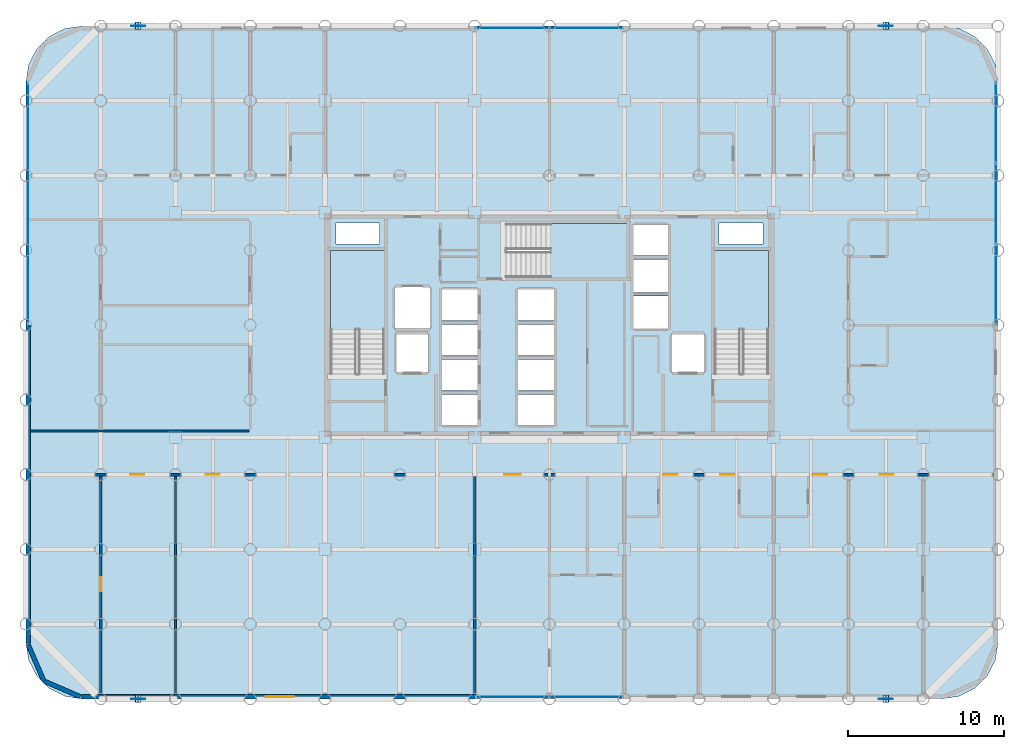
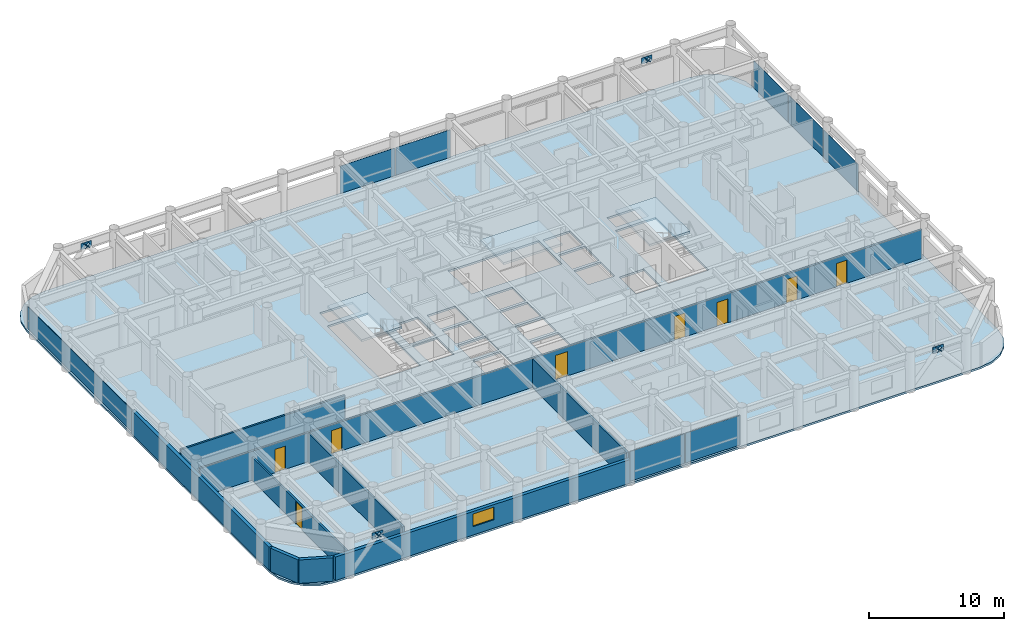
# One storey, part 15 of 21: 20 plates, 9 walls, 8 doors, 4 slabs, 1 window, 9 openings, 7 elements without a shape of their own.
"""IFC4 building model written with IfcOpenShell, lengths in metres."""

from ifc_helpers import new_model, si_unit, direction, frame, frame_2d, origin, origin_2d, place, context, subcontext, project, spatial, polyline, rectangle, outline, extrude, material, layer, layer_set, type_object, element, fill, aggregate, save


model = new_model("IFC4")

# Units and contexts
model_context = context("Model", 3, precision=1e-05, world=origin(), true_north=direction((0.0, 1.0)))
body_context = subcontext(model_context, "Body", "Model", "MODEL_VIEW")
ifc_project = project(units=[si_unit("LENGTHUNIT", "METRE"), si_unit("AREAUNIT", "SQUARE_METRE"), si_unit("VOLUMEUNIT", "CUBIC_METRE"), si_unit("PLANEANGLEUNIT", "RADIAN"), si_unit("MASSUNIT", "GRAM", prefix="KILO")], contexts=[model_context])

# Site, building, storey
site_placement = place(None, origin())
site = spatial("IfcSite", under=ifc_project, at=site_placement, CompositionType="ELEMENT")
building_placement = place(site_placement, origin())
building = spatial("IfcBuilding", under=site, at=building_placement, Name="Kallvorn Hotel Tower", CompositionType="ELEMENT")
storey_placement = place(building_placement, frame((0.0, 0.0, 41.10009765625)))
storey = spatial("IfcBuildingStorey", under=building, at=storey_placement, Name="L08", CompositionType="ELEMENT", Elevation=41.10009765625)

# Curtain wall, plates
ifc_material_1 = material(Name="Thermally broken black-anodised aluminium AA 6063-T6", Category="aluminium")
ifc_layer_1 = layer(ifc_material_1, 0.199951171875)
ifc_layer_set_1 = layer_set([ifc_layer_1], Name="CW_SYS_3_HOTEL_LOW")
curtain_wall_type = type_object("IfcCurtainWallType", Name="CW_SYS_3_HOTEL_LOW", PredefinedType="USERDEFINED", material=ifc_layer_set_1)
curtain_wall_1_placement = place(storey_placement, origin())
curtain_wall_1 = element("IfcCurtainWall", 1, at=curtain_wall_1_placement, inside=storey, type_object=curtain_wall_type, Name="L08 Dark-Glass Curtain Wall CW-L08-SC", ObjectType="UNITISED CURTAIN WALL", PredefinedType="USERDEFINED")
ifc_material_2 = material(Name="Double-glazed low-e solar-control dark glass", Category="glass")
ifc_layer_2 = layer(ifc_material_2, 0.035888671875)
ifc_layer_set_2 = layer_set([ifc_layer_2], Name="CW_SYS_3_HOTEL_LOW_PANEL")
plate_type_1 = type_object("IfcPlateType", Name="CW_SYS_3_HOTEL_LOW_PANEL", PredefinedType="CURTAIN_PANEL", material=ifc_layer_set_2)
plate_1_placement = place(storey_placement, frame((-2.375, -23.8798828125, 0.06005859375), z_axis=(0.0, 0.0, 1.0), x_axis=(1.0, 0.0, 0.0)))
plate_1 = element("IfcPlate", 2, at=plate_1_placement, type_object=plate_type_1, Name="CW-L08-SC Vision Glass Panel 00", PredefinedType="CURTAIN_PANEL", context=body_context, shape_type="SweptSolid", body=[
    extrude(rectangle(XDim=4.68994140625, YDim=0.035888671875, at=origin_2d()), origin(), (0.0, 0.0, 1.0), 2.699951171875),
])
plate_2_placement = place(storey_placement, frame((2.375, -23.8798828125, 0.06005859375), z_axis=(0.0, 0.0, 1.0), x_axis=(1.0, 0.0, 0.0)))
plate_2 = element("IfcPlate", 3, at=plate_2_placement, type_object=plate_type_1, Name="CW-L08-SC Vision Glass Panel 01", PredefinedType="CURTAIN_PANEL", context=body_context, shape_type="SweptSolid", body=[
    extrude(rectangle(XDim=4.68994140625, YDim=0.035888671875, at=origin_2d()), origin(), (0.0, 0.0, 1.0), 2.699951171875),
])
aggregate(curtain_wall_1, [plate_1, plate_2])

curtain_wall_2_placement = place(storey_placement, origin())
curtain_wall_2 = element("IfcCurtainWall", 4, at=curtain_wall_2_placement, inside=storey, type_object=curtain_wall_type, Name="L08 Dark-Glass Curtain Wall CW-L08-NC", ObjectType="UNITISED CURTAIN WALL", PredefinedType="USERDEFINED")
plate_3_placement = place(storey_placement, frame((-2.375, 19.080078125, 0.059814453125), z_axis=(0.0, 0.0, 1.0), x_axis=(1.0, 0.0, 0.0)))
plate_3 = element("IfcPlate", 5, at=plate_3_placement, type_object=plate_type_1, Name="CW-L08-NC Vision Glass Panel 00", PredefinedType="CURTAIN_PANEL", context=body_context, shape_type="SweptSolid", body=[
    extrude(rectangle(XDim=4.68994140625, YDim=0.035888671875, at=origin_2d()), origin(), (0.0, 0.0, 1.0), 2.5),
])
plate_4_placement = place(storey_placement, frame((2.375, 19.080078125, 0.059814453125), z_axis=(0.0, 0.0, 1.0), x_axis=(1.0, 0.0, 0.0)))
plate_4 = element("IfcPlate", 6, at=plate_4_placement, type_object=plate_type_1, Name="CW-L08-NC Vision Glass Panel 01", PredefinedType="CURTAIN_PANEL", context=body_context, shape_type="SweptSolid", body=[
    extrude(rectangle(XDim=4.68994140625, YDim=0.035888671875, at=origin_2d()), origin(), (0.0, 0.0, 1.0), 2.5),
])
aggregate(curtain_wall_2, [plate_3, plate_4])

# Curtain wall, plate
curtain_wall_3_placement = place(storey_placement, origin())
curtain_wall_3 = element("IfcCurtainWall", 7, at=curtain_wall_3_placement, inside=storey, type_object=curtain_wall_type, Name="L08 Dark-Glass Curtain Wall CW-L08-WN", ObjectType="UNITISED CURTAIN WALL", PredefinedType="USERDEFINED")
plate_5_placement = place(storey_placement, frame((-33.47998046875, 7.81005859375, 0.059814453125), z_axis=(0.0, 0.0, 1.0), x_axis=(0.0, 1.0, 0.0)))
plate_5 = element("IfcPlate", 8, at=plate_5_placement, type_object=plate_type_1, Name="CW-L08-WN Vision Glass Panel 00", PredefinedType="CURTAIN_PANEL", context=body_context, shape_type="SweptSolid", body=[
    extrude(rectangle(XDim=15.52001953125, YDim=0.035888671875, at=origin_2d()), origin(), (0.0, 0.0, 1.0), 2.0),
])
aggregate(curtain_wall_3, [plate_5])

# Curtain wall, plates
curtain_wall_4_placement = place(storey_placement, origin())
curtain_wall_4 = element("IfcCurtainWall", 9, at=curtain_wall_4_placement, inside=storey, type_object=curtain_wall_type, Name="L08 Dark-Glass Curtain Wall CW-L08-EN", ObjectType="UNITISED CURTAIN WALL", PredefinedType="USERDEFINED")
plate_6_placement = place(storey_placement, frame((28.679931640625, 2.61669921875, 0.059814453125), z_axis=(0.0, 0.0, 1.0), x_axis=(0.0, 1.0, 0.0)))
plate_6 = element("IfcPlate", 10, at=plate_6_placement, type_object=plate_type_1, Name="CW-L08-EN Vision Glass Panel 00", PredefinedType="CURTAIN_PANEL", context=body_context, shape_type="SweptSolid", body=[
    extrude(rectangle(XDim=5.13330078125, YDim=0.035888671875, at=origin_2d()), origin(), (0.0, 0.0, 1.0), 2.5),
])
plate_7_placement = place(storey_placement, frame((28.679931640625, 7.81005859375, 0.059814453125), z_axis=(0.0, 0.0, 1.0), x_axis=(0.0, 1.0, 0.0)))
plate_7 = element("IfcPlate", 11, at=plate_7_placement, type_object=plate_type_1, Name="CW-L08-EN Vision Glass Panel 01", PredefinedType="CURTAIN_PANEL", context=body_context, shape_type="SweptSolid", body=[
    extrude(rectangle(XDim=5.13330078125, YDim=0.035888671875, at=origin_2d()), origin(), (0.0, 0.0, 1.0), 2.5),
])
plate_8_placement = place(storey_placement, frame((28.679931640625, 13.00341796875, 0.059814453125), z_axis=(0.0, 0.0, 1.0), x_axis=(0.0, 1.0, 0.0)))
plate_8 = element("IfcPlate", 12, at=plate_8_placement, type_object=plate_type_1, Name="CW-L08-EN Vision Glass Panel 02", PredefinedType="CURTAIN_PANEL", context=body_context, shape_type="SweptSolid", body=[
    extrude(rectangle(XDim=5.13330078125, YDim=0.035888671875, at=origin_2d()), origin(), (0.0, 0.0, 1.0), 2.5),
])
aggregate(curtain_wall_4, [plate_6, plate_7, plate_8])

# Plates
ifc_material_3 = material(Name="Structural steel S355JR", Category="steel")
ifc_layer_3 = layer(ifc_material_3, 0.030029296875)
ifc_layer_set_3 = layer_set([ifc_layer_3], Name="PLT_CAP_30")
plate_type_2 = type_object("IfcPlateType", Name="PLT_CAP_30", PredefinedType="SHEET", material=ifc_layer_set_3)
for number, where, z_axis, x_axis, name in (
    (13, (-26.20947265625, -24.2431640625, 2.80859375), (0.653515319717, 0.0, 0.756913288888), (0.0, 1.0, 0.0), "EXO-L08-S1A End Cap Plate B"),
    (14, (-26.590576171875, -23.7568359375, 2.80859375), (-0.653515319717, 0.0, 0.756913288888), (0.0, -1.0, 0.0), "EXO-L08-S1B End Cap Plate B"),
    (15, (21.79052734375, -24.2431640625, 2.80859375), (0.653515319717, 0.0, 0.756913288888), (0.0, 1.0, 0.0), "EXO-L08-S2A End Cap Plate B"),
    (16, (21.409423828125, -23.7568359375, 2.80859375), (-0.653515319717, 0.0, 0.756913288888), (0.0, -1.0, 0.0), "EXO-L08-S2B End Cap Plate B"),
    (17, (-26.20947265625, 18.956787109375, 2.80859375), (0.653515319717, 0.0, 0.756913288888), (0.0, 1.0, 0.0), "EXO-L08-N1A End Cap Plate B"),
    (18, (-26.590576171875, 19.443115234375, 2.80859375), (-0.653515319717, 0.0, 0.756913288888), (0.0, -1.0, 0.0), "EXO-L08-N1B End Cap Plate B"),
    (19, (21.79052734375, 18.956787109375, 2.80859375), (0.653515319717, 0.0, 0.756913288888), (0.0, 1.0, 0.0), "EXO-L08-N2A End Cap Plate B"),
    (20, (21.409423828125, 19.443115234375, 2.80859375), (-0.653515319717, 0.0, 0.756913288888), (0.0, -1.0, 0.0), "EXO-L08-N2B End Cap Plate B"),
):
    element("IfcPlate", number, at=place(storey_placement, frame(where, z_axis=z_axis, x_axis=x_axis)), inside=storey, type_object=plate_type_2, Name=name, PredefinedType="SHEET", context=body_context, shape_type="SweptSolid", body=[
        extrude(outline(polyline([(0.0, 0.0), (0.486328125, 0.0), (0.486328125, 0.4864019008580509), (0.0, 0.4864019008580509), (0.0, 0.0)])), origin(), (0.0, 0.0, -1.0), 0.030029296875),
    ])
ifc_material_4 = material(Name="Structural steel S355JR", Category="steel")
ifc_layer_4 = layer(ifc_material_4, 0.044921875)
ifc_layer_set_4 = layer_set([ifc_layer_4], Name="PLT_GUSSET_45")
plate_type_3 = type_object("IfcPlateType", Name="PLT_GUSSET_45", PredefinedType="USERDEFINED", material=ifc_layer_set_4)
for number, where, z_axis, x_axis, name in (
    (21, (-26.39990234375, -24.0, 2.639892578125), (0.0, 0.0, 1.0), (1.0, 0.0, 0.0), "L08 Exoskeleton Node Gusset S1"),
    (22, (21.60009765625, -24.0, 2.639892578125), (0.0, 0.0, 1.0), (1.0, 0.0, 0.0), "L08 Exoskeleton Node Gusset S2"),
    (23, (-26.39990234375, 19.199951171875, 2.639892578125), (0.0, 0.0, 1.0), (1.0, 0.0, 0.0), "L08 Exoskeleton Node Gusset N1"),
    (24, (21.60009765625, 19.199951171875, 2.639892578125), (0.0, 0.0, 1.0), (1.0, 0.0, 0.0), "L08 Exoskeleton Node Gusset N2"),
):
    element("IfcPlate", number, at=place(storey_placement, frame(where, z_axis=z_axis, x_axis=x_axis)), inside=storey, type_object=plate_type_3, Name=name, ObjectType="GUSSET PLATE", PredefinedType="USERDEFINED", context=body_context, shape_type="SweptSolid", body=[
        extrude(rectangle(XDim=0.89990234375, YDim=0.044921875, at=origin_2d()), origin(), (0.0, 0.0, 1.0), 0.56005859375),
    ])

# Stair, slab
ifc_material_5 = material(Name="Precast concrete C40/50", Category="concrete")
stair_type = type_object("IfcStairType", Name="STR_CORE_DOGLEG", PredefinedType="HALF_TURN_STAIR", material=ifc_material_5)
stair_1_placement = place(storey_placement, origin())
stair_1 = element("IfcStair", 25, at=stair_1_placement, inside=storey, type_object=stair_type, Name="L08 Exit stair ST1", PredefinedType="HALF_TURN_STAIR")
ifc_material_6 = material(Name="Precast concrete C40/50", Category="concrete")
ifc_layer_5 = layer(ifc_material_6, 0.179931640625)
ifc_layer_set_5 = layer_set([ifc_layer_5], Name="SLB_LANDING_180")
slab_type_1 = type_object("IfcSlabType", Name="SLB_LANDING_180", PredefinedType="LANDING", material=ifc_layer_set_5)
slab_1_placement = place(storey_placement, frame((0.0, 0.0, 1.64990234375)))
slab_1 = element("IfcSlab", 26, at=slab_1_placement, type_object=slab_type_1, Name="ST1 landing 1", PredefinedType="LANDING", context=body_context, shape_type="SweptSolid", body=[
    extrude(outline(polyline([(-10.60009765625, -0.31005859375), (-10.60009765625, 4.800048828125), (-14.06005859375, 4.800048828125), (-14.06005859375, -0.31005859375), (-10.60009765625, -0.31005859375)])), origin(), (0.0, 0.0, 1.0), 0.199951171875),
])
aggregate(stair_1, [slab_1])

stair_2_placement = place(storey_placement, origin())
stair_2 = element("IfcStair", 27, at=stair_2_placement, inside=storey, type_object=stair_type, Name="L08 Exit stair ST2", PredefinedType="HALF_TURN_STAIR")
slab_2_placement = place(storey_placement, frame((0.0, 0.0, 1.64990234375)))
slab_2 = element("IfcSlab", 28, at=slab_2_placement, type_object=slab_type_1, Name="ST2 landing 1", PredefinedType="LANDING", context=body_context, shape_type="SweptSolid", body=[
    extrude(outline(polyline([(14.06005859375, -0.31005859375), (14.06005859375, 4.800048828125), (10.60009765625, 4.800048828125), (10.60009765625, -0.31005859375), (14.06005859375, -0.31005859375)])), origin(), (0.0, 0.0, 1.0), 0.199951171875),
])
aggregate(stair_2, [slab_2])

stair_3_placement = place(storey_placement, origin())
stair_3 = element("IfcStair", 29, at=stair_3_placement, inside=storey, type_object=stair_type, Name="L08 Exit stair ST3", PredefinedType="HALF_TURN_STAIR")
slab_3_placement = place(storey_placement, frame((0.0, 0.0, 1.64990234375)))
slab_3 = element("IfcSlab", 30, at=slab_3_placement, type_object=slab_type_1, Name="ST3 landing 1", PredefinedType="LANDING", context=body_context, shape_type="SweptSolid", body=[
    extrude(outline(polyline([(0.0400390625, 3.050048828125), (5.050048828125, 3.050048828125), (5.050048828125, 6.510009765625), (0.0400390625, 6.510009765625), (0.0400390625, 3.050048828125)])), origin(), (0.0, 0.0, 1.0), 0.199951171875),
])
aggregate(stair_3, [slab_3])

# Slab
ifc_material_7 = material(Name="Concrete C40/50", Category="concrete")
ifc_layer_6 = layer(ifc_material_7, 0.179931640625)
ifc_layer_set_6 = layer_set([ifc_layer_6], Name="SLB_TOWER_180")
slab_type_2 = type_object("IfcSlabType", Name="SLB_TOWER_180", PredefinedType="FLOOR", material=ifc_layer_set_6)
slab_4_placement = place(storey_placement, frame((0.0, 0.0, -0.18017578125)))
element("IfcSlab", 31, at=slab_4_placement, inside=storey, type_object=slab_type_2, Name="L08 Structural Floor Slab", PredefinedType="FLOOR", context=body_context, shape_type="SweptSolid", body=[
    extrude(outline(polyline([(25.199951171875, -24.0), (26.3125, -23.82373046875), (27.31591796875, -23.3125), (28.112548828125, -22.51611328125), (28.623779296875, -21.512451171875), (28.800048828125, -20.39990234375), (28.800048828125, 15.60009765625), (28.623779296875, 16.71240234375), (28.112548828125, 17.716064453125), (27.31591796875, 18.512451171875), (26.3125, 19.023681640625), (25.199951171875, 19.199951171875), (-30.0, 19.199951171875), (-31.112548828125, 19.023681640625), (-32.115966796875, 18.512451171875), (-32.91259765625, 17.716064453125), (-33.423828125, 16.71240234375), (-33.60009765625, 15.60009765625), (-33.60009765625, -20.39990234375), (-33.423828125, -21.512451171875), (-32.91259765625, -22.51611328125), (-32.115966796875, -23.3125), (-31.112548828125, -23.82373046875), (-30.0, -24.0), (25.199951171875, -24.0)]), holes=[polyline([(-10.60009765625, -3.070068359375), (-10.60009765625, 4.800048828125), (-14.06005859375, 4.800048828125), (-14.06005859375, -3.070068359375), (-10.60009765625, -3.070068359375)]), polyline([(14.06005859375, -3.070068359375), (14.06005859375, 4.800048828125), (10.60009765625, 4.800048828125), (10.60009765625, -3.070068359375), (14.06005859375, -3.070068359375)]), polyline([(-2.719970703125, 3.050048828125), (5.050048828125, 3.050048828125), (5.050048828125, 6.510009765625), (-2.719970703125, 6.510009765625), (-2.719970703125, 3.050048828125)]), polyline([(-6.949951171875, -6.449951171875), (-4.550048828125, -6.449951171875), (-4.550048828125, -4.449951171875), (-6.949951171875, -4.449951171875), (-6.949951171875, -6.449951171875)]), polyline([(-6.949951171875, -4.199951171875), (-4.550048828125, -4.199951171875), (-4.550048828125, -2.199951171875), (-6.949951171875, -2.199951171875), (-6.949951171875, -4.199951171875)]), polyline([(-6.949951171875, -1.949951171875), (-4.550048828125, -1.949951171875), (-4.550048828125, 0.050048828125), (-6.949951171875, 0.050048828125), (-6.949951171875, -1.949951171875)]), polyline([(-6.949951171875, 0.300048828125), (-4.550048828125, 0.300048828125), (-4.550048828125, 2.300048828125), (-6.949951171875, 2.300048828125), (-6.949951171875, 0.300048828125)]), polyline([(-2.050048828125, -6.449951171875), (0.35009765625, -6.449951171875), (0.35009765625, -4.449951171875), (-2.050048828125, -4.449951171875), (-2.050048828125, -6.449951171875)]), polyline([(-2.050048828125, -4.199951171875), (0.35009765625, -4.199951171875), (0.35009765625, -2.199951171875), (-2.050048828125, -2.199951171875), (-2.050048828125, -4.199951171875)]), polyline([(-2.050048828125, -1.949951171875), (0.35009765625, -1.949951171875), (0.35009765625, 0.050048828125), (-2.050048828125, 0.050048828125), (-2.050048828125, -1.949951171875)]), polyline([(-2.050048828125, 0.300048828125), (0.35009765625, 0.300048828125), (0.35009765625, 2.300048828125), (-2.050048828125, 2.300048828125), (-2.050048828125, 0.300048828125)]), polyline([(5.35009765625, -0.25), (7.64990234375, -0.25), (7.64990234375, 1.85009765625), (5.35009765625, 1.85009765625), (5.35009765625, -0.25)]), polyline([(5.35009765625, 2.10009765625), (7.64990234375, 2.10009765625), (7.64990234375, 4.199951171875), (5.35009765625, 4.199951171875), (5.35009765625, 2.10009765625)]), polyline([(5.35009765625, 4.449951171875), (7.64990234375, 4.449951171875), (7.64990234375, 6.449951171875), (5.35009765625, 6.449951171875), (5.35009765625, 4.449951171875)]), polyline([(-9.85009765625, -3.050048828125), (-7.75, -3.050048828125), (-7.75, -0.550048828125), (-9.85009765625, -0.550048828125), (-9.85009765625, -3.050048828125)]), polyline([(7.85009765625, -3.050048828125), (9.949951171875, -3.050048828125), (9.949951171875, -0.550048828125), (7.85009765625, -0.550048828125), (7.85009765625, -3.050048828125)]), polyline([(-9.949951171875, -0.25), (-7.64990234375, -0.25), (-7.64990234375, 2.449951171875), (-9.949951171875, 2.449951171875), (-9.949951171875, -0.25)]), polyline([(-13.699951171875, 5.199951171875), (-10.89990234375, 5.199951171875), (-10.89990234375, 6.550048828125), (-13.699951171875, 6.550048828125), (-13.699951171875, 5.199951171875)]), polyline([(10.89990234375, 5.199951171875), (13.699951171875, 5.199951171875), (13.699951171875, 6.550048828125), (10.89990234375, 6.550048828125), (10.89990234375, 5.199951171875)])]), origin(), (0.0, 0.0, 1.0), 0.18017578125),
])

# Wall, openings, doors
ifc_material_8 = material(Name="Fire-rated double-layer acoustic gypsum drywall EI 60")
ifc_layer_7 = layer(ifc_material_8, 0.159912109375)
ifc_layer_set_7 = layer_set([ifc_layer_7], Name="WL_DEMISE_160")
wall_type_1 = type_object("IfcWallType", Name="WL_DEMISE_160", PredefinedType="PARTITIONING", material=ifc_layer_set_7)
wall_1_placement = place(storey_placement, frame((-33.31005859375, -9.60009765625, 0.0), z_axis=(0.0, 0.0, 1.0), x_axis=(1.0, 0.0, 0.0)))
wall_1 = element("IfcWall", 32, at=wall_1_placement, inside=storey, type_object=wall_type_1, Name="L08 Suite 803 Executive Living Salon Partition", PredefinedType="PARTITIONING", context=body_context, shape_type="SweptSolid", body=[
    extrude(rectangle(XDim=61.820068359375, YDim=0.159912109375, at=frame_2d((30.91015625, 0.0))), origin(), (0.0, 0.0, 1.0), 2.619873046875),
])
opening_1_placement = place(wall_1_placement, frame((6.419921875, 0.0, 0.0)))
opening_1 = element("IfcOpeningElement", 33, at=opening_1_placement, cuts=wall_1, Name="Opening SVD1", PredefinedType="OPENING", context=body_context, shape_type="SweptSolid", body=[
    extrude(rectangle(XDim=0.89990234375, YDim=2.10009765625, at=frame_2d((0.449951171875, 1.050048828125))), frame((0.0, 0.094970703125, 0.0), z_axis=(0.0, -1.0, 0.0), x_axis=(1.0, 0.0, 0.0)), (0.0, 0.0, 1.0), 0.18994140625),
])
opening_2_placement = place(wall_1_placement, frame((54.5, 0.0, 0.0)))
opening_2 = element("IfcOpeningElement", 34, at=opening_2_placement, cuts=wall_1, Name="Opening SVD1", PredefinedType="OPENING", context=body_context, shape_type="SweptSolid", body=[
    extrude(rectangle(XDim=0.89990234375, YDim=2.10009765625, at=frame_2d((0.449951171875, 1.050048828125))), frame((0.0, 0.094970703125, 0.0), z_axis=(0.0, -1.0, 0.0), x_axis=(1.0, 0.0, 0.0)), (0.0, 0.0, 1.0), 0.18994140625),
])
opening_3_placement = place(wall_1_placement, frame((11.260009765625, 0.0, 0.0)))
opening_3 = element("IfcOpeningElement", 35, at=opening_3_placement, cuts=wall_1, Name="Opening SVD1", PredefinedType="OPENING", context=body_context, shape_type="SweptSolid", body=[
    extrude(rectangle(XDim=0.89990234375, YDim=2.10009765625, at=frame_2d((0.449951171875, 1.050048828125))), frame((0.0, 0.094970703125, 0.0), z_axis=(0.0, -1.0, 0.0), x_axis=(1.0, 0.0, 0.0)), (0.0, 0.0, 1.0), 0.18994140625),
])
opening_4_placement = place(wall_1_placement, frame((30.425048828125, 0.0, 0.0)))
opening_4 = element("IfcOpeningElement", 36, at=opening_4_placement, cuts=wall_1, Name="Opening GD2", PredefinedType="OPENING", context=body_context, shape_type="SweptSolid", body=[
    extrude(rectangle(XDim=1.050048828125, YDim=2.199951171875, at=frame_2d((0.52490234375, 1.10009765625))), frame((0.0, 0.094970703125, 0.0), z_axis=(0.0, -1.0, 0.0), x_axis=(1.0, 0.0, 0.0)), (0.0, 0.0, 1.0), 0.18994140625),
])
opening_5_placement = place(wall_1_placement, frame((40.6201171875, 0.0, 0.0)))
opening_5 = element("IfcOpeningElement", 37, at=opening_5_placement, cuts=wall_1, Name="Opening GD1", PredefinedType="OPENING", context=body_context, shape_type="SweptSolid", body=[
    extrude(rectangle(XDim=0.919921875, YDim=2.14990234375, at=frame_2d((0.4599609375, 1.074951171875))), frame((0.0, 0.094970703125, 0.0), z_axis=(0.0, -1.0, 0.0), x_axis=(1.0, 0.0, 0.0)), (0.0, 0.0, 1.0), 0.18994140625),
])
opening_6_placement = place(wall_1_placement, frame((44.280029296875, 0.0, 0.0)))
opening_6 = element("IfcOpeningElement", 38, at=opening_6_placement, cuts=wall_1, Name="Opening GD1", PredefinedType="OPENING", context=body_context, shape_type="SweptSolid", body=[
    extrude(rectangle(XDim=0.919921875, YDim=2.14990234375, at=frame_2d((0.4599609375, 1.074951171875))), frame((0.0, 0.094970703125, 0.0), z_axis=(0.0, -1.0, 0.0), x_axis=(1.0, 0.0, 0.0)), (0.0, 0.0, 1.0), 0.18994140625),
])
opening_7_placement = place(wall_1_placement, frame((50.219970703125, 0.0, 0.0)))
opening_7 = element("IfcOpeningElement", 39, at=opening_7_placement, cuts=wall_1, Name="Opening GD1", PredefinedType="OPENING", context=body_context, shape_type="SweptSolid", body=[
    extrude(rectangle(XDim=0.919921875, YDim=2.14990234375, at=frame_2d((0.4599609375, 1.074951171875))), frame((0.0, 0.094970703125, 0.0), z_axis=(0.0, -1.0, 0.0), x_axis=(1.0, 0.0, 0.0)), (0.0, 0.0, 1.0), 0.18994140625),
])
ifc_material_9 = material(Name="Solid-core walnut veneer fire-rated timber door leaf", Category="wood")
door_type_1 = type_object("IfcDoorType", Name="DR_GUEST_920x2150", OperationType="NOTDEFINED", PredefinedType="DOOR", material=ifc_material_9)
door_1_placement = place(opening_5_placement, origin())
door_1 = element("IfcDoor", 40, at=door_1_placement, inside=storey, type_object=door_type_1, Name="L08 Suite 804 Superior Twin Room Door", OperationType="SINGLE_SWING_RIGHT", OverallHeight=2.14990234375, OverallWidth=0.919921875, PredefinedType="DOOR", context=body_context, shape_type="SweptSolid", body=[
    extrude(rectangle(XDim=0.919921875, YDim=2.14990234375, at=frame_2d((0.4599609375, 1.074951171875))), frame((0.0, 0.02490234375, 0.0), z_axis=(0.0, -1.0, 0.0), x_axis=(1.0, 0.0, 0.0)), (0.0, 0.0, 1.0), 0.050048828125),
])
fill(opening_5, door_1)
door_2_placement = place(opening_6_placement, origin())
door_2 = element("IfcDoor", 41, at=door_2_placement, inside=storey, type_object=door_type_1, Name="L08 Suite 805 Superior Twin Room Door", OperationType="SINGLE_SWING_LEFT", OverallHeight=2.14990234375, OverallWidth=0.919921875, PredefinedType="DOOR", context=body_context, shape_type="SweptSolid", body=[
    extrude(rectangle(XDim=0.919921875, YDim=2.14990234375, at=frame_2d((0.4599609375, 1.074951171875))), frame((0.0, 0.02490234375, 0.0), z_axis=(0.0, -1.0, 0.0), x_axis=(1.0, 0.0, 0.0)), (0.0, 0.0, 1.0), 0.050048828125),
])
fill(opening_6, door_2)
door_3_placement = place(opening_7_placement, origin())
door_3 = element("IfcDoor", 42, at=door_3_placement, inside=storey, type_object=door_type_1, Name="L08 Suite 806 Superior Twin Room Door", OperationType="SINGLE_SWING_RIGHT", OverallHeight=2.14990234375, OverallWidth=0.919921875, PredefinedType="DOOR", context=body_context, shape_type="SweptSolid", body=[
    extrude(rectangle(XDim=0.919921875, YDim=2.14990234375, at=frame_2d((0.4599609375, 1.074951171875))), frame((0.0, 0.02490234375, 0.0), z_axis=(0.0, -1.0, 0.0), x_axis=(1.0, 0.0, 0.0)), (0.0, 0.0, 1.0), 0.050048828125),
])
fill(opening_7, door_3)
ifc_material_10 = material(Name="Galvanised painted steel fire-rated door assembly", Category="steel")
door_type_2 = type_object("IfcDoorType", Name="DR_SERV_900x2100", OperationType="NOTDEFINED", PredefinedType="DOOR", material=ifc_material_10)
door_4_placement = place(opening_1_placement, origin())
door_4 = element("IfcDoor", 43, at=door_4_placement, inside=storey, type_object=door_type_2, Name="L08 L08 South-West Botanical Bar B Door", OperationType="SINGLE_SWING_RIGHT", OverallHeight=2.10009765625, OverallWidth=0.89990234375, PredefinedType="DOOR", context=body_context, shape_type="SweptSolid", body=[
    extrude(rectangle(XDim=0.89990234375, YDim=2.10009765625, at=frame_2d((0.449951171875, 1.050048828125))), frame((0.0, 0.02490234375, 0.0), z_axis=(0.0, -1.0, 0.0), x_axis=(1.0, 0.0, 0.0)), (0.0, 0.0, 1.0), 0.050048828125),
])
fill(opening_1, door_4)
door_5_placement = place(opening_2_placement, origin())
door_5 = element("IfcDoor", 44, at=door_5_placement, inside=storey, type_object=door_type_2, Name="L08 L08 South-East Sommelier Bar A Door", OperationType="SINGLE_SWING_LEFT", OverallHeight=2.10009765625, OverallWidth=0.89990234375, PredefinedType="DOOR", context=body_context, shape_type="SweptSolid", body=[
    extrude(rectangle(XDim=0.89990234375, YDim=2.10009765625, at=frame_2d((0.449951171875, 1.050048828125))), frame((0.0, 0.02490234375, 0.0), z_axis=(0.0, -1.0, 0.0), x_axis=(1.0, 0.0, 0.0)), (0.0, 0.0, 1.0), 0.050048828125),
])
fill(opening_2, door_5)
door_6_placement = place(opening_3_placement, origin())
door_6 = element("IfcDoor", 45, at=door_6_placement, inside=storey, type_object=door_type_2, Name="L08 L08 Executive Co-Working Open-Plan Office 1 Door", OperationType="SINGLE_SWING_LEFT", OverallHeight=2.10009765625, OverallWidth=0.89990234375, PredefinedType="DOOR", context=body_context, shape_type="SweptSolid", body=[
    extrude(rectangle(XDim=0.89990234375, YDim=2.10009765625, at=frame_2d((0.449951171875, 1.050048828125))), frame((0.0, 0.02490234375, 0.0), z_axis=(0.0, -1.0, 0.0), x_axis=(1.0, 0.0, 0.0)), (0.0, 0.0, 1.0), 0.050048828125),
])
fill(opening_3, door_6)
ifc_material_11 = material(Name="Solid-core walnut veneer fire-rated timber door leaf", Category="wood")
door_type_3 = type_object("IfcDoorType", Name="DR_SUITE_1050x2200", OperationType="NOTDEFINED", PredefinedType="DOOR", material=ifc_material_11)
door_7_placement = place(opening_4_placement, origin())
door_7 = element("IfcDoor", 46, at=door_7_placement, inside=storey, type_object=door_type_3, Name="L08 Suite 803 Executive Living Salon Door", OperationType="SINGLE_SWING_LEFT", OverallHeight=2.199951171875, OverallWidth=1.050048828125, PredefinedType="DOOR", context=body_context, shape_type="SweptSolid", body=[
    extrude(rectangle(XDim=1.050048828125, YDim=2.199951171875, at=frame_2d((0.52490234375, 1.10009765625))), frame((0.0, 0.02490234375, 0.0), z_axis=(0.0, -1.0, 0.0), x_axis=(1.0, 0.0, 0.0)), (0.0, 0.0, 1.0), 0.050048828125),
])
fill(opening_4, door_7)

# Walls
wall_2_placement = place(storey_placement, frame((-4.800048828125, -23.7099609375, 0.0), z_axis=(0.0, 0.0, 1.0), x_axis=(0.0, 1.0, 0.0)))
element("IfcWall", 47, at=wall_2_placement, inside=storey, type_object=wall_type_1, Name="L08 Suite 803 Executive Living Salon Partition", PredefinedType="PARTITIONING", context=body_context, shape_type="SweptSolid", body=[
    extrude(rectangle(XDim=13.989990234375, YDim=0.159912109375, at=frame_2d((6.9951171875, 0.0))), origin(), (0.0, 0.0, 1.0), 2.619873046875),
])
ifc_material_12 = material(Name="Precast basalt-clad insulated concrete wall C40/50", Category="masonry")
ifc_layer_8 = layer(ifc_material_12, 0.280029296875)
ifc_layer_set_8 = layer_set([ifc_layer_8], Name="WL_EXT_LOGGIA_280")
wall_type_2 = type_object("IfcWallType", Name="WL_EXT_LOGGIA_280", PredefinedType="SOLIDWALL", material=ifc_layer_set_8)
wall_3_placement = place(storey_placement, frame((-33.4580078125, -20.520751953125, 0.0), z_axis=(0.0, 0.0, 1.0), x_axis=(0.398792985289, -0.917040977756, 0.0)))
element("IfcWall", 48, at=wall_3_placement, inside=storey, type_object=wall_type_2, Name="L08 Rounded Corner Exterior Wall SW1", PredefinedType="SOLIDWALL", context=body_context, shape_type="SweptSolid", body=[
    extrude(rectangle(XDim=2.536376953125, YDim=0.280029296875, at=frame_2d((1.26806640625, 0.0))), origin(), (0.0, 0.0, 1.0), 2.119873046875),
])
wall_4_placement = place(storey_placement, frame((-32.446533203125, -22.8466796875, 0.0), z_axis=(0.0, 0.0, 1.0), x_axis=(0.917060872934, -0.398747232384, 0.0)))
element("IfcWall", 49, at=wall_4_placement, inside=storey, type_object=wall_type_2, Name="L08 Rounded Corner Exterior Wall SW2", PredefinedType="SOLIDWALL", context=body_context, shape_type="SweptSolid", body=[
    extrude(rectangle(XDim=2.5361328125, YDim=0.280029296875, at=frame_2d((1.26806640625, 0.0))), origin(), (0.0, 0.0, 1.0), 2.119873046875),
])

# Wall, opening, window
wall_5_placement = place(storey_placement, frame((-30.0, -23.860107421875, 0.0), z_axis=(0.0, 0.0, 1.0), x_axis=(1.0, 0.0, 0.0)))
wall_5 = element("IfcWall", 50, at=wall_5_placement, inside=storey, type_object=wall_type_2, Name="L08 Exterior Envelope Wall EW-L08-SW", PredefinedType="SOLIDWALL", context=body_context, shape_type="SweptSolid", body=[
    extrude(rectangle(XDim=25.25, YDim=0.280029296875, at=frame_2d((12.625, 0.0))), origin(), (0.0, 0.0, 1.0), 2.119873046875),
])
opening_8_placement = place(wall_5_placement, frame((11.798095703125, 0.0, 0.75)))
opening_8 = element("IfcOpeningElement", 51, at=opening_8_placement, cuts=wall_5, Name="Opening W04A", PredefinedType="OPENING", context=body_context, shape_type="SweptSolid", body=[
    extrude(rectangle(XDim=1.800048828125, YDim=1.14990234375, at=frame_2d((0.89990234375, 0.574951171875))), frame((0.0, 0.155029296875, 0.0), z_axis=(0.0, -1.0, 0.0), x_axis=(1.0, 0.0, 0.0)), (0.0, 0.0, 1.0), 0.31005859375),
])
ifc_material_13 = material(Name="Double-glazed low-e solar-control dark glass", Category="glass")
window_type = type_object("IfcWindowType", Name="WN_HTL_1800x1150", PartitioningType="SINGLE_PANEL", PredefinedType="WINDOW", material=ifc_material_13)
window_placement = place(opening_8_placement, origin())
window = element("IfcWindow", 52, at=window_placement, inside=storey, type_object=window_type, Name="L08 Guestroom Exterior Window 02", OverallHeight=1.14990234375, OverallWidth=1.800048828125, PartitioningType="SINGLE_PANEL", PredefinedType="WINDOW", context=body_context, shape_type="SweptSolid", body=[
    extrude(rectangle(XDim=1.800048828125, YDim=1.14990234375, at=frame_2d((0.89990234375, 0.574951171875))), frame((0.0, 0.030029296875, 0.0), z_axis=(0.0, -1.0, 0.0), x_axis=(1.0, 0.0, 0.0)), (0.0, 0.0, 1.0), 0.06005859375),
])
fill(opening_8, window)

# Walls
wall_6_placement = place(storey_placement, frame((-33.4599609375, -20.39990234375, 0.0), z_axis=(0.0, 0.0, 1.0), x_axis=(0.0, 1.0, 0.0)))
element("IfcWall", 53, at=wall_6_placement, inside=storey, type_object=wall_type_2, Name="L08 Exterior Envelope Wall EW-L08-WS", PredefinedType="SOLIDWALL", context=body_context, shape_type="SweptSolid", body=[
    extrude(rectangle(XDim=20.3798828125, YDim=0.280029296875, at=frame_2d((10.18994140625, 0.0))), origin(), (0.0, 0.0, 1.0), 2.119873046875),
])
ifc_material_14 = material(Name="Fire-rated double-layer acoustic gypsum drywall EI 60")
ifc_layer_9 = layer(ifc_material_14, 0.14990234375)
ifc_layer_set_9 = layer_set([ifc_layer_9], Name="WL_PART_150")
wall_type_3 = type_object("IfcWallType", Name="WL_PART_150", PredefinedType="PARTITIONING", material=ifc_layer_set_9)
wall_7_placement = place(storey_placement, frame((-33.31005859375, -6.800048828125, 0.0), z_axis=(0.0, 0.0, 1.0), x_axis=(1.0, 0.0, 0.0)))
element("IfcWall", 54, at=wall_7_placement, inside=storey, type_object=wall_type_3, Name="L08 L08 W Cordillera Panorama Dining Salon Partition", PredefinedType="PARTITIONING", context=body_context, shape_type="SweptSolid", body=[
    extrude(rectangle(XDim=14.030029296875, YDim=0.14990234375, at=frame_2d((7.01513671875, 0.0))), origin(), (0.0, 0.0, 1.0), 2.619873046875),
])

# Wall, opening, door
wall_8_placement = place(storey_placement, frame((-28.800048828125, -23.7099609375, 0.0), z_axis=(0.0, 0.0, 1.0), x_axis=(0.0, 1.0, 0.0)))
wall_8 = element("IfcWall", 55, at=wall_8_placement, inside=storey, type_object=wall_type_3, Name="L08 L08 South-West Botanical Bar A Partition", PredefinedType="PARTITIONING", context=body_context, shape_type="SweptSolid", body=[
    extrude(rectangle(XDim=13.989990234375, YDim=0.14990234375, at=frame_2d((6.9951171875, 0.0))), origin(), (0.0, 0.0, 1.0), 2.119873046875),
])
opening_9_placement = place(wall_8_placement, frame((6.625, 0.0, 0.0)))
opening_9 = element("IfcOpeningElement", 56, at=opening_9_placement, cuts=wall_8, Name="Opening SVD1A", PredefinedType="OPENING", context=body_context, shape_type="SweptSolid", body=[
    extrude(rectangle(XDim=0.89990234375, YDim=2.02001953125, at=frame_2d((0.449951171875, 1.010009765625))), frame((0.0, 0.08984375, 0.0), z_axis=(0.0, -1.0, 0.0), x_axis=(1.0, 0.0, 0.0)), (0.0, 0.0, 1.0), 0.179931640625),
])
ifc_material_15 = material(Name="Galvanised painted steel fire-rated door assembly", Category="steel")
door_type_4 = type_object("IfcDoorType", Name="DR_SERV_900x2020", OperationType="NOTDEFINED", PredefinedType="DOOR", material=ifc_material_15)
door_8_placement = place(opening_9_placement, origin())
door_8 = element("IfcDoor", 57, at=door_8_placement, inside=storey, type_object=door_type_4, Name="L08 L08 South-West Botanical Bar A Door", OperationType="SINGLE_SWING_RIGHT", OverallHeight=2.02001953125, OverallWidth=0.89990234375, PredefinedType="DOOR", context=body_context, shape_type="SweptSolid", body=[
    extrude(rectangle(XDim=0.89990234375, YDim=2.02001953125, at=frame_2d((0.449951171875, 1.010009765625))), frame((0.0, 0.02490234375, 0.0), z_axis=(0.0, -1.0, 0.0), x_axis=(1.0, 0.0, 0.0)), (0.0, 0.0, 1.0), 0.050048828125),
])
fill(opening_9, door_8)

# Wall
wall_9_placement = place(storey_placement, frame((-24.0, -23.7099609375, 0.0), z_axis=(0.0, 0.0, 1.0), x_axis=(0.0, 1.0, 0.0)))
element("IfcWall", 58, at=wall_9_placement, inside=storey, type_object=wall_type_3, Name="L08 L08 Executive Co-Working Open-Plan Office 1 Partition", PredefinedType="PARTITIONING", context=body_context, shape_type="SweptSolid", body=[
    extrude(rectangle(XDim=13.989990234375, YDim=0.14990234375, at=frame_2d((6.9951171875, 0.0))), origin(), (0.0, 0.0, 1.0), 2.619873046875),
])

save(model, "model.ifc")
